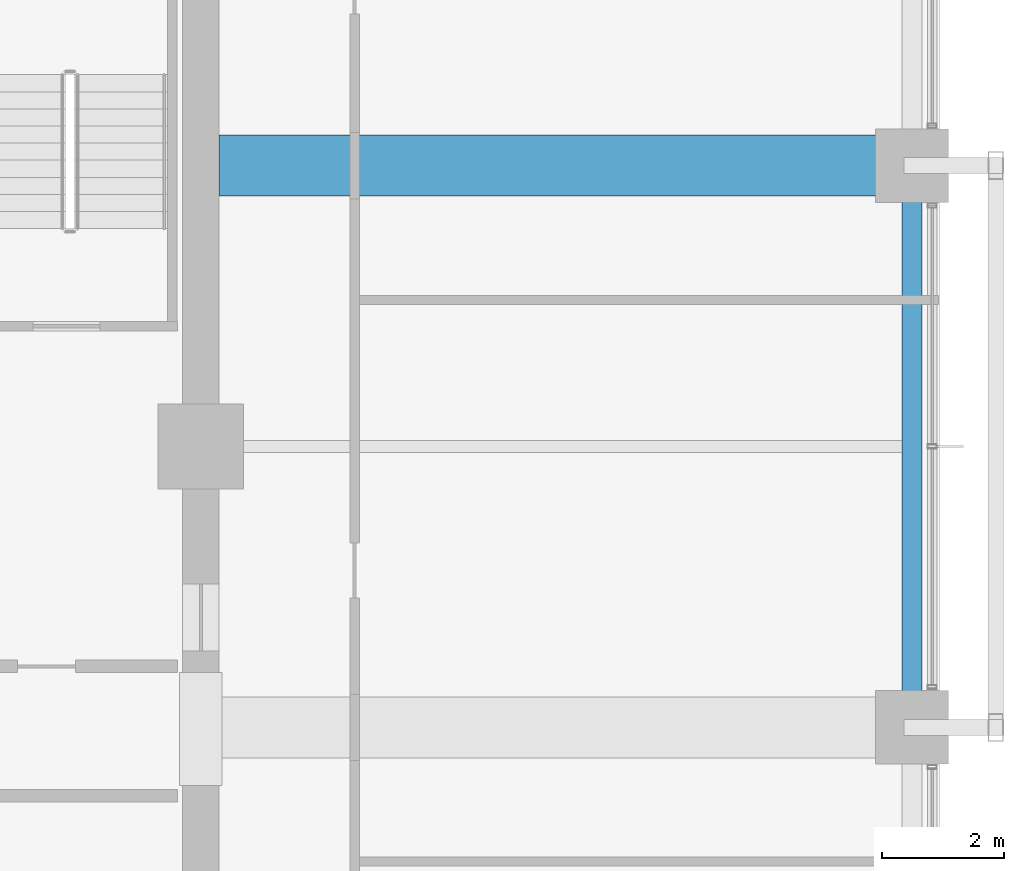
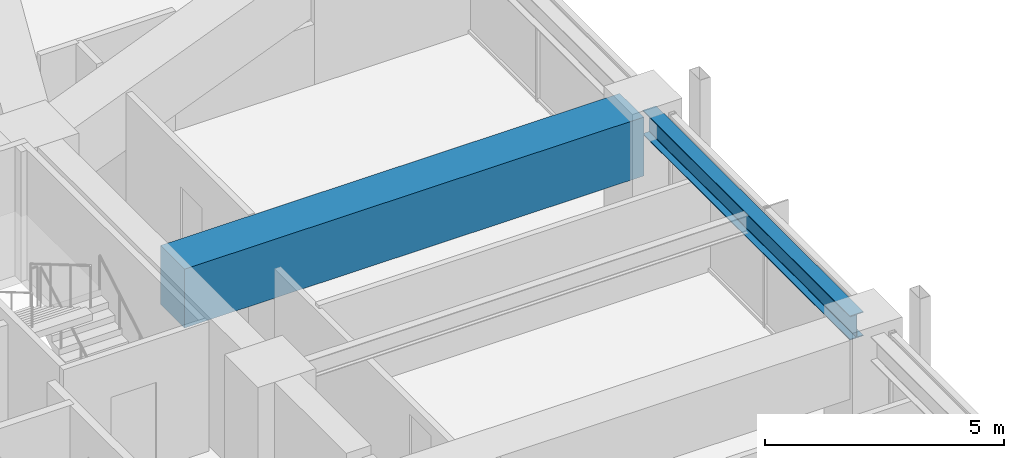
# One storey, part 14 of 37: 2 beams.
"""IFC4 building model written with IfcOpenShell, lengths in metres."""

from ifc_helpers import new_model, si_unit, direction, frame, origin, origin_2d, place, context, subcontext, project, spatial, rectangle, i_section, extrude, material, material_profile, profile_set, type_object, element, save


model = new_model("IFC4")

# Units and contexts
model_context = context("Model", 3, precision=1e-05, world=origin(), true_north=direction((0.0, 1.0)))
body_context = subcontext(model_context, "Body", "Model", "MODEL_VIEW")
ifc_project = project(units=[si_unit("LENGTHUNIT", "METRE"), si_unit("AREAUNIT", "SQUARE_METRE"), si_unit("VOLUMEUNIT", "CUBIC_METRE"), si_unit("PLANEANGLEUNIT", "RADIAN"), si_unit("MASSUNIT", "GRAM", prefix="KILO")], contexts=[model_context])

# Site, building, storey
site_placement = place(None, origin())
site = spatial("IfcSite", under=ifc_project, at=site_placement, CompositionType="ELEMENT")
building_placement = place(site_placement, origin())
building = spatial("IfcBuilding", under=site, at=building_placement, Name="Kolvaren Belvedere", CompositionType="ELEMENT")
storey_placement = place(building_placement, frame((0.0, 0.0, 43.60009765625)))
storey = spatial("IfcBuildingStorey", under=building, at=storey_placement, Name="L12", CompositionType="ELEMENT", Elevation=43.60009765625)

# Beams
ifc_material_1 = material(Name="Structural steel ASTM A992 Grade 50", Category="steel")
ifc_material_profile_1 = material_profile(ifc_material_1, i_section(OverallWidth=0.324951171875, OverallDepth=0.615966796875, WebThickness=0.013916015625, FlangeThickness=0.021484375, FilletRadius=0.02001953125, at=origin_2d()), Name="W24X117")
ifc_profile_set_1 = profile_set([ifc_material_profile_1], Name="Structural steel ASTM A992 Grade 50")
beam_type_1 = type_object("IfcBeamType", Name="BM-SPAN-W24X117", PredefinedType="SPANDREL", material=ifc_profile_set_1)
beam_1_placement = place(storey_placement, frame((21.550048828125, -4.330078125, 2.751953125), z_axis=(0.0, 1.0, 0.0), x_axis=(-1.0, 0.0, 0.0)))
element("IfcBeam", 1, at=beam_1_placement, inside=storey, type_object=beam_type_1, Name="L12 Perimeter Spandrel E2-E3", PredefinedType="SPANDREL", context=body_context, shape_type="SweptSolid", body=[
    extrude(i_section(OverallWidth=0.324951171875, OverallDepth=0.615966796875, WebThickness=0.013916015625, FlangeThickness=0.021484375, FilletRadius=0.02001953125, at=origin_2d()), origin(), (0.0, 0.0, 1.0), 8.66015625),
])
ifc_material_2 = material(Name="Concrete C50/60", Category="concrete")
ifc_material_profile_2 = material_profile(ifc_material_2, rectangle(XDim=1.0, YDim=1.5, at=origin_2d()), Name="RC 1000X1500")
ifc_profile_set_2 = profile_set([ifc_material_profile_2], Name="Concrete C50/60")
beam_type_2 = type_object("IfcBeamType", Name="BM-TG-1500", PredefinedType="BEAM", material=ifc_profile_set_2)
beam_2_placement = place(storey_placement, frame((10.199951171875, 4.60009765625, 2.309814453125), z_axis=(1.0, 0.0, 0.0), x_axis=(0.0, 1.0, 0.0)))
element("IfcBeam", 2, at=beam_2_placement, inside=storey, type_object=beam_type_2, Name="L12 East Radial Girder P", PredefinedType="BEAM", context=body_context, shape_type="SweptSolid", body=[
    extrude(rectangle(XDim=1.0, YDim=1.5, at=origin_2d()), origin(), (0.0, 0.0, 1.0), 11.080078125),
])

save(model, "model.ifc")
